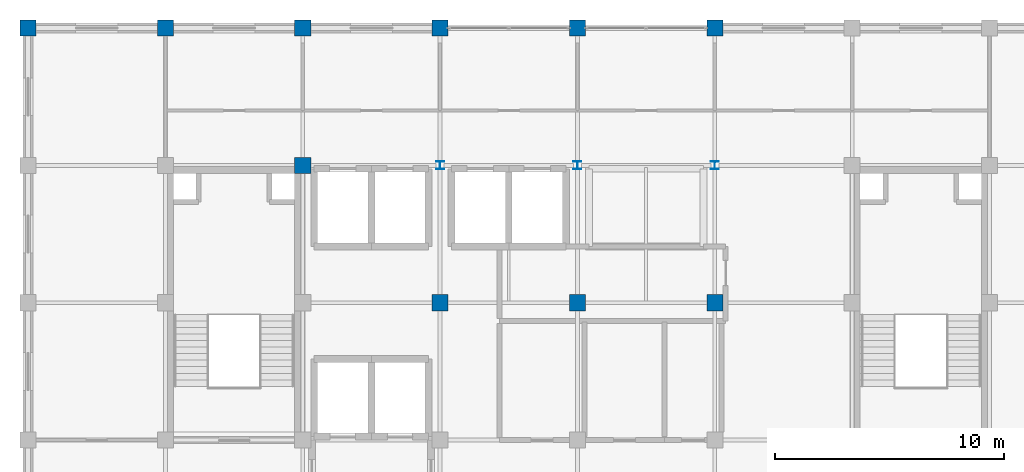
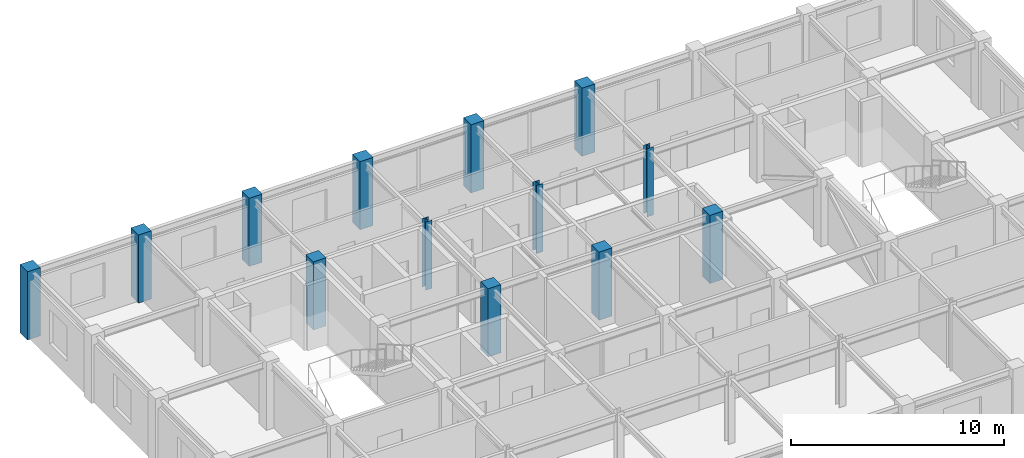
# One storey, part 2 of 13: 13 columns.
"""IFC4 building model written with IfcOpenShell, lengths in metres."""

from ifc_helpers import new_model, si_unit, direction, frame, origin, origin_2d, place, context, subcontext, project, spatial, rectangle, i_section, extrude, material, material_profile, profile_set, type_object, element, save


model = new_model("IFC4")

# Units and contexts
model_context = context("Model", 3, precision=1e-05, world=origin(), true_north=direction((0.0, 1.0)))
body_context = subcontext(model_context, "Body", "Model", "MODEL_VIEW")
ifc_project = project(units=[si_unit("LENGTHUNIT", "METRE"), si_unit("AREAUNIT", "SQUARE_METRE"), si_unit("VOLUMEUNIT", "CUBIC_METRE"), si_unit("PLANEANGLEUNIT", "RADIAN"), si_unit("MASSUNIT", "GRAM", prefix="KILO")], contexts=[model_context])

# Site, building, storey
site_placement = place(None, origin())
site = spatial("IfcSite", under=ifc_project, at=site_placement, CompositionType="ELEMENT")
building_placement = place(site_placement, origin())
building = spatial("IfcBuilding", under=site, at=building_placement, Name="Zlatovratsky Civic Hall", CompositionType="ELEMENT")
storey_placement = place(building_placement, frame((0.0, 0.0, 44.39990234375)))
storey = spatial("IfcBuildingStorey", under=building, at=storey_placement, Name="L11", CompositionType="ELEMENT", Elevation=44.39990234375)

# Columns
ifc_material_1 = material(Name="Concrete C35/45 (B40)", Category="concrete")
ifc_material_profile_1 = material_profile(ifc_material_1, rectangle(XDim=0.699951171875, YDim=0.699951171875, at=origin_2d()), Name="RC 700x700")
ifc_profile_set_1 = profile_set([ifc_material_profile_1], Name="Concrete C35/45 (B40)")
column_type_1 = type_object("IfcColumnType", Name="Col_CorePier_RC700", PredefinedType="COLUMN", material=ifc_profile_set_1)
for number, where, z_axis, x_axis, name in (
    (1, (78.0, 90.0, 0.0), (0.0, 0.0, 1.0), (1.0, 0.0, 0.0), "CL-2387"),
    (2, (84.0, 90.0, 0.0), (0.0, 0.0, 1.0), (1.0, 0.0, 0.0), "CL-2388"),
    (3, (90.0, 90.0, 0.0), (0.0, 0.0, 1.0), (1.0, 0.0, 0.0), "CL-2389"),
    (4, (72.0, 96.0, 0.0), (0.0, 0.0, 1.0), (1.0, 0.0, 0.0), "CL-2395"),
    (5, (60.0, 102.0, 0.0), (0.0, 0.0, 1.0), (1.0, 0.0, 0.0), "CL-2402"),
    (6, (66.0, 102.0, 0.0), (0.0, 0.0, 1.0), (1.0, 0.0, 0.0), "CL-2403"),
    (7, (72.0, 102.0, 0.0), (0.0, 0.0, 1.0), (1.0, 0.0, 0.0), "CL-2404"),
    (8, (78.0, 102.0, 0.0), (0.0, 0.0, 1.0), (1.0, 0.0, 0.0), "CL-2405"),
    (9, (84.0, 102.0, 0.0), (0.0, 0.0, 1.0), (1.0, 0.0, 0.0), "CL-2406"),
    (10, (90.0, 102.0, 0.0), (0.0, 0.0, 1.0), (1.0, 0.0, 0.0), "CL-2407"),
):
    element("IfcColumn", number, at=place(storey_placement, frame(where, z_axis=z_axis, x_axis=x_axis)), inside=storey, type_object=column_type_1, Name=name, PredefinedType="COLUMN", context=body_context, shape_type="SweptSolid", body=[
        extrude(rectangle(XDim=0.699951171875, YDim=0.699951171875, at=origin_2d()), origin(), (0.0, 0.0, 1.0), 3.900146484375),
    ])
ifc_material_2 = material(Name="Steel S355", Category="steel")
ifc_material_profile_2 = material_profile(ifc_material_2, i_section(OverallWidth=0.35009765625, OverallDepth=0.343017578125, WebThickness=0.010009765625, FlangeThickness=0.014892578125, FilletRadius=0.02001953125, at=origin_2d()), Name="35K1")
ifc_profile_set_2 = profile_set([ifc_material_profile_2], Name="Steel S355")
column_type_2 = type_object("IfcColumnType", Name="Col_Steel_35K1", PredefinedType="COLUMN", material=ifc_profile_set_2)
for number, where, z_axis, x_axis, name in (
    (11, (78.0, 96.0, 0.0), (0.0, 0.0, 1.0), (1.0, 0.0, 0.0), "CL-2396"),
    (12, (84.0, 96.0, 0.0), (0.0, 0.0, 1.0), (1.0, 0.0, 0.0), "CL-2397"),
    (13, (90.0, 96.0, 0.0), (0.0, 0.0, 1.0), (1.0, 0.0, 0.0), "CL-2398"),
):
    element("IfcColumn", number, at=place(storey_placement, frame(where, z_axis=z_axis, x_axis=x_axis)), inside=storey, type_object=column_type_2, Name=name, PredefinedType="COLUMN", context=body_context, shape_type="SweptSolid", body=[
        extrude(i_section(OverallWidth=0.35009765625, OverallDepth=0.343017578125, WebThickness=0.010009765625, FlangeThickness=0.014892578125, FilletRadius=0.02001953125, at=origin_2d()), origin(), (0.0, 0.0, 1.0), 3.900146484375),
    ])

save(model, "model.ifc")
